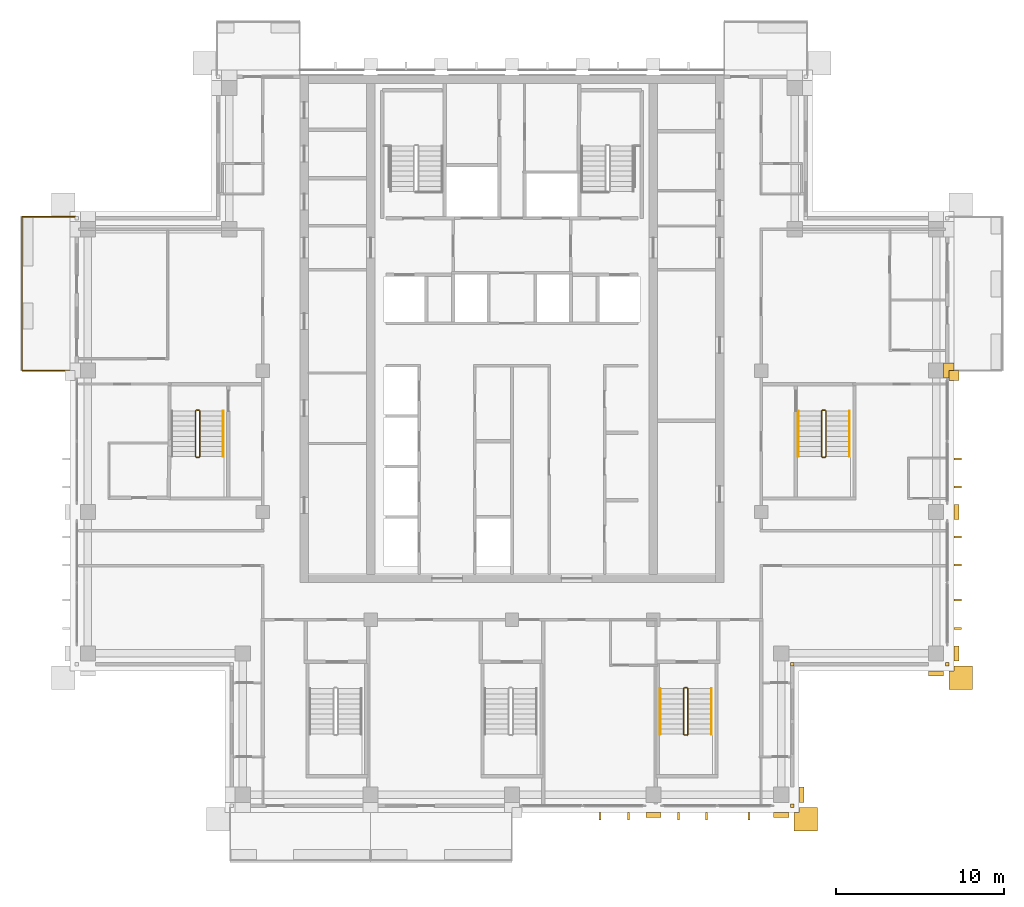
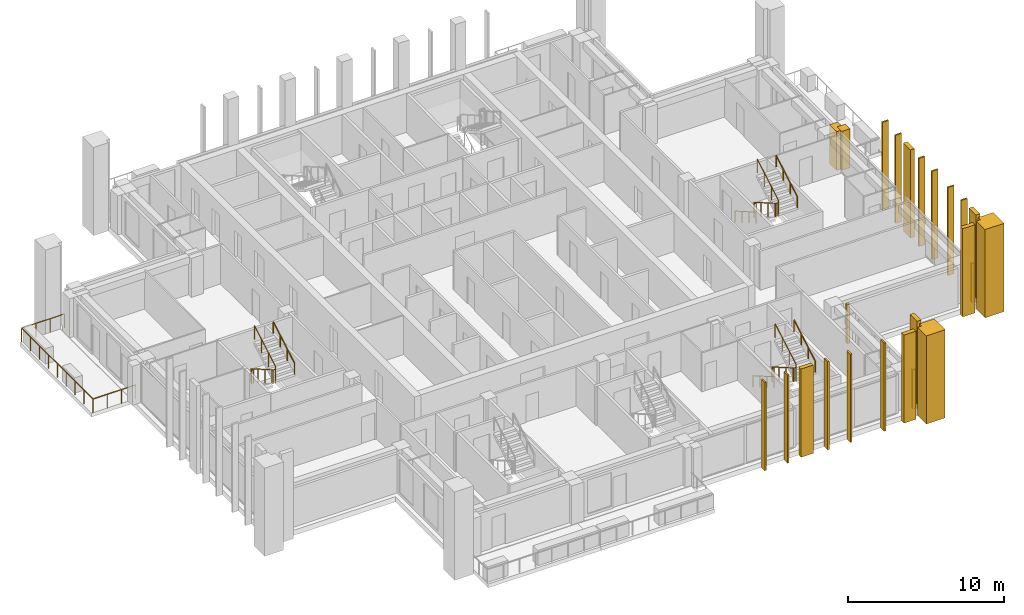
# One storey, part 14 of 16: 24 coverings, 9 railings.
"""IFC4 building model written with IfcOpenShell, lengths in metres."""

from ifc_helpers import new_model, si_unit, direction, frame, origin, origin_2d, place, context, subcontext, project, spatial, polyline, rectangle, outline, extrude, material, layer, layer_set, type_object, element, save


model = new_model("IFC4")

# Units and contexts
model_context = context("Model", 3, precision=1e-05, world=origin(), true_north=direction((0.0, 1.0)))
body_context = subcontext(model_context, "Body", "Model", "MODEL_VIEW")
ifc_project = project(units=[si_unit("LENGTHUNIT", "METRE"), si_unit("AREAUNIT", "SQUARE_METRE"), si_unit("VOLUMEUNIT", "CUBIC_METRE"), si_unit("PLANEANGLEUNIT", "RADIAN"), si_unit("MASSUNIT", "GRAM", prefix="KILO")], contexts=[model_context])

# Site, building, storey
site_placement = place(None, origin())
site = spatial("IfcSite", under=ifc_project, at=site_placement, CompositionType="ELEMENT")
building_placement = place(site_placement, origin())
building = spatial("IfcBuilding", under=site, at=building_placement, Name="Vermilion Ogive Tower", CompositionType="ELEMENT")
storey_placement = place(building_placement, frame((0.0, 0.0, 233.800048828125)))
storey = spatial("IfcBuildingStorey", under=building, at=storey_placement, Name="L61", CompositionType="ELEMENT", Elevation=233.800048828125)

# Railing
ifc_material_1 = material(Name="Stainless steel and glass", Category="steel")
railing_type_1 = type_object("IfcRailingType", Name="Balcony guard", PredefinedType="GUARDRAIL", material=ifc_material_1)
railing_1_placement = place(storey_placement, frame((-25.949951171875, 13.35009765625, -0.0400390625)))
element("IfcRailing", 1, at=railing_1_placement, inside=storey, type_object=railing_type_1, Name="Guard W01", PredefinedType="GUARDRAIL", context=body_context, shape_type="SweptSolid", body=[
    extrude(rectangle(XDim=0.048095703125, YDim=0.048095703125, at=origin_2d()), frame((0.0, 0.0, 1.076171875), z_axis=(-1.0, 0.0, 0.0), x_axis=(0.0, -1.0, 0.0)), (0.0, 0.0, 1.0), 3.16015625),
    extrude(rectangle(XDim=0.048095703125, YDim=0.048095703125, at=origin_2d()), frame((-3.16015625, 0.0, 1.076171875), z_axis=(0.0, -1.0, 0.0), x_axis=(1.0, 0.0, 0.0)), (0.0, 0.0, 1.0), 9.150146484375),
    extrude(rectangle(XDim=0.048095703125, YDim=0.048095703125, at=origin_2d()), frame((-3.16015625, -9.150146484375, 1.076171875), z_axis=(1.0, 0.0, 0.0), x_axis=(0.0, 1.0, 0.0)), (0.0, 0.0, 1.0), 3.16015625),
    extrude(rectangle(XDim=0.0419921875, YDim=0.0419921875, at=origin_2d()), origin(), (0.0, 0.0, 1.0), 1.052001953125),
    extrude(rectangle(XDim=0.0419921875, YDim=0.0419921875, at=origin_2d()), frame((-1.053466796875, 0.0, 0.0)), (0.0, 0.0, 1.0), 1.052001953125),
    extrude(rectangle(XDim=0.0419921875, YDim=0.0419921875, at=origin_2d()), frame((-2.106689453125, 0.0, 0.0)), (0.0, 0.0, 1.0), 1.052001953125),
    extrude(rectangle(XDim=0.0419921875, YDim=0.0419921875, at=origin_2d()), frame((-3.16015625, 0.0, 0.0)), (0.0, 0.0, 1.0), 1.052001953125),
    extrude(rectangle(XDim=0.0419921875, YDim=0.0419921875, at=origin_2d()), frame((-3.16015625, -1.143798828125, 0.0)), (0.0, 0.0, 1.0), 1.052001953125),
    extrude(rectangle(XDim=0.0419921875, YDim=0.0419921875, at=origin_2d()), frame((-3.16015625, -2.28759765625, 0.0)), (0.0, 0.0, 1.0), 1.052001953125),
    extrude(rectangle(XDim=0.0419921875, YDim=0.0419921875, at=origin_2d()), frame((-3.16015625, -3.431396484375, 0.0)), (0.0, 0.0, 1.0), 1.052001953125),
    extrude(rectangle(XDim=0.0419921875, YDim=0.0419921875, at=origin_2d()), frame((-3.16015625, -4.5751953125, 0.0)), (0.0, 0.0, 1.0), 1.052001953125),
    extrude(rectangle(XDim=0.0419921875, YDim=0.0419921875, at=origin_2d()), frame((-3.16015625, -5.71875, 0.0)), (0.0, 0.0, 1.0), 1.052001953125),
    extrude(rectangle(XDim=0.0419921875, YDim=0.0419921875, at=origin_2d()), frame((-3.16015625, -6.862548828125, 0.0)), (0.0, 0.0, 1.0), 1.052001953125),
    extrude(rectangle(XDim=0.0419921875, YDim=0.0419921875, at=origin_2d()), frame((-3.16015625, -8.00634765625, 0.0)), (0.0, 0.0, 1.0), 1.052001953125),
    extrude(rectangle(XDim=0.0419921875, YDim=0.0419921875, at=origin_2d()), frame((-3.16015625, -9.150146484375, 0.0)), (0.0, 0.0, 1.0), 1.052001953125),
    extrude(rectangle(XDim=0.0419921875, YDim=0.0419921875, at=origin_2d()), frame((-2.106689453125, -9.150146484375, 0.0)), (0.0, 0.0, 1.0), 1.052001953125),
    extrude(rectangle(XDim=0.0419921875, YDim=0.0419921875, at=origin_2d()), frame((-1.053466796875, -9.150146484375, 0.0)), (0.0, 0.0, 1.0), 1.052001953125),
    extrude(rectangle(XDim=0.0419921875, YDim=0.0419921875, at=origin_2d()), frame((0.0, -9.150146484375, 0.0)), (0.0, 0.0, 1.0), 1.052001953125),
])

# Coverings
ifc_material_2 = material(Name="Glazed ceramic screen")
ifc_layer = layer(ifc_material_2, 0.14990234375)
ifc_layer_set = layer_set([ifc_layer], Name="Ceramic solar screen fin")
covering_type_1 = type_object("IfcCoveringType", Name="Ceramic solar screen fin", PredefinedType="CLADDING", material=ifc_layer_set)
covering_1_placement = place(storey_placement, frame((0.0, 0.0, -0.400146484375)))
element("IfcCovering", 2, at=covering_1_placement, inside=storey, type_object=covering_type_1, Name="Solar screen blade S011", PredefinedType="CLADDING", context=body_context, shape_type="SweptSolid", body=[
    extrude(outline(polyline([(5.177490234375, -22.5), (5.297607421875, -22.5), (5.297607421875, -22.050048828125), (5.177490234375, -22.050048828125), (5.177490234375, -22.5)])), origin(), (0.0, 0.0, 1.0), 6.900146484375),
])
covering_2_placement = place(storey_placement, frame((0.0, 0.0, -0.400146484375)))
element("IfcCovering", 3, at=covering_2_placement, inside=storey, type_object=covering_type_1, Name="Solar screen blade S012", PredefinedType="CLADDING", context=body_context, shape_type="SweptSolid", body=[
    extrude(outline(polyline([(6.8525390625, -22.5), (6.972412109375, -22.5), (6.972412109375, -22.050048828125), (6.8525390625, -22.050048828125), (6.8525390625, -22.5)])), origin(), (0.0, 0.0, 1.0), 6.900146484375),
])
covering_3_placement = place(storey_placement, frame((0.0, 0.0, -0.400146484375)))
element("IfcCovering", 4, at=covering_3_placement, inside=storey, type_object=covering_type_1, Name="Solar screen blade S021", PredefinedType="CLADDING", context=body_context, shape_type="SweptSolid", body=[
    extrude(outline(polyline([(9.827392578125, -22.5), (9.947509765625, -22.5), (9.947509765625, -22.050048828125), (9.827392578125, -22.050048828125), (9.827392578125, -22.5)])), origin(), (0.0, 0.0, 1.0), 6.900146484375),
])
covering_4_placement = place(storey_placement, frame((0.0, 0.0, -0.400146484375)))
element("IfcCovering", 5, at=covering_4_placement, inside=storey, type_object=covering_type_1, Name="Solar screen blade S022", PredefinedType="CLADDING", context=body_context, shape_type="SweptSolid", body=[
    extrude(outline(polyline([(11.50244140625, -22.5), (11.62255859375, -22.5), (11.62255859375, -22.050048828125), (11.50244140625, -22.050048828125), (11.50244140625, -22.5)])), origin(), (0.0, 0.0, 1.0), 6.900146484375),
])
covering_5_placement = place(storey_placement, frame((0.0, 0.0, -0.400146484375)))
element("IfcCovering", 6, at=covering_5_placement, inside=storey, type_object=covering_type_1, Name="Solar screen blade S031", PredefinedType="CLADDING", context=body_context, shape_type="SweptSolid", body=[
    extrude(outline(polyline([(14.014892578125, -22.5), (14.135009765625, -22.5), (14.135009765625, -22.050048828125), (14.014892578125, -22.050048828125), (14.014892578125, -22.5)])), origin(), (0.0, 0.0, 1.0), 6.900146484375),
])
covering_6_placement = place(storey_placement, frame((0.0, 0.0, -0.400146484375)))
element("IfcCovering", 7, at=covering_6_placement, inside=storey, type_object=covering_type_1, Name="Solar screen blade E971", PredefinedType="CLADDING", context=body_context, shape_type="SweptSolid", body=[
    extrude(outline(polyline([(26.699951171875, -11.172607421875), (26.699951171875, -11.052490234375), (26.25, -11.052490234375), (26.25, -11.172607421875), (26.699951171875, -11.172607421875)])), origin(), (0.0, 0.0, 1.0), 6.900146484375),
])
covering_7_placement = place(storey_placement, frame((0.0, 0.0, -0.400146484375)))
element("IfcCovering", 8, at=covering_7_placement, inside=storey, type_object=covering_type_1, Name="Solar screen blade E972", PredefinedType="CLADDING", context=body_context, shape_type="SweptSolid", body=[
    extrude(outline(polyline([(26.699951171875, -9.49755859375), (26.699951171875, -9.37744140625), (26.25, -9.37744140625), (26.25, -9.49755859375), (26.699951171875, -9.49755859375)])), origin(), (0.0, 0.0, 1.0), 6.900146484375),
])
covering_8_placement = place(storey_placement, frame((0.0, 0.0, -0.400146484375)))
element("IfcCovering", 9, at=covering_8_placement, inside=storey, type_object=covering_type_1, Name="Solar screen blade E981", PredefinedType="CLADDING", context=body_context, shape_type="SweptSolid", body=[
    extrude(outline(polyline([(26.699951171875, -7.422607421875), (26.699951171875, -7.302490234375), (26.25, -7.302490234375), (26.25, -7.422607421875), (26.699951171875, -7.422607421875)])), origin(), (0.0, 0.0, 1.0), 6.900146484375),
])
covering_9_placement = place(storey_placement, frame((0.0, 0.0, -0.400146484375)))
element("IfcCovering", 10, at=covering_9_placement, inside=storey, type_object=covering_type_1, Name="Solar screen blade E982", PredefinedType="CLADDING", context=body_context, shape_type="SweptSolid", body=[
    extrude(outline(polyline([(26.699951171875, -5.74755859375), (26.699951171875, -5.62744140625), (26.25, -5.62744140625), (26.25, -5.74755859375), (26.699951171875, -5.74755859375)])), origin(), (0.0, 0.0, 1.0), 6.900146484375),
])
covering_10_placement = place(storey_placement, frame((0.0, 0.0, -0.400146484375)))
element("IfcCovering", 11, at=covering_10_placement, inside=storey, type_object=covering_type_1, Name="Solar screen blade E991", PredefinedType="CLADDING", context=body_context, shape_type="SweptSolid", body=[
    extrude(outline(polyline([(26.699951171875, -2.7724609375), (26.699951171875, -2.652587890625), (26.25, -2.652587890625), (26.25, -2.7724609375), (26.699951171875, -2.7724609375)])), origin(), (0.0, 0.0, 1.0), 6.900146484375),
])
covering_11_placement = place(storey_placement, frame((0.0, 0.0, -0.400146484375)))
element("IfcCovering", 12, at=covering_11_placement, inside=storey, type_object=covering_type_1, Name="Solar screen blade E992", PredefinedType="CLADDING", context=body_context, shape_type="SweptSolid", body=[
    extrude(outline(polyline([(26.699951171875, -1.097412109375), (26.699951171875, -0.9775390625), (26.25, -0.9775390625), (26.25, -1.097412109375), (26.699951171875, -1.097412109375)])), origin(), (0.0, 0.0, 1.0), 6.900146484375),
])

# Railings
ifc_material_3 = material(Name="Steel S355 painted", Category="steel")
railing_type_2 = type_object("IfcRailingType", Name="Stair guard 1100", PredefinedType="GUARDRAIL", material=ifc_material_3)
railing_2_placement = place(storey_placement, frame((10.39990234375, -14.64990234375, 0.0)))
element("IfcRailing", 13, at=railing_2_placement, inside=storey, type_object=railing_type_2, Name="L61 ST5 stair guard 4", PredefinedType="GUARDRAIL", context=body_context, shape_type="SweptSolid", body=[
    extrude(rectangle(XDim=0.048095703125, YDim=0.048095703125, at=origin_2d()), frame((0.0, 0.0, 1.076171875), z_axis=(-1.0, 0.0, 0.0), x_axis=(0.0, -1.0, 0.0)), (0.0, 0.0, 1.0), 0.14990234375),
    extrude(rectangle(XDim=0.048095703125, YDim=0.048095703125, at=origin_2d()), frame((-0.14990234375, 0.0, 1.076171875), z_axis=(-0.268603158521, -0.268603158521, 0.925043072762), x_axis=(0.707106781187, -0.707106781187, 0.0)), (0.0, 0.0, 1.0), 0.186279296875),
    extrude(rectangle(XDim=0.048095703125, YDim=0.048095703125, at=origin_2d()), frame((-0.199951171875, -0.050048828125, 1.24853515625), z_axis=(0.0, -0.866903762492, 0.498475542607), x_axis=(1.0, 0.0, 0.0)), (0.0, 0.0, 1.0), 3.114501953125),
    extrude(rectangle(XDim=0.048095703125, YDim=0.048095703125, at=origin_2d()), frame((-0.199951171875, -2.75, 2.80078125), z_axis=(0.707106781187, -0.707106781187, 0.0), x_axis=(0.707106781187, 0.707106781187, 0.0)), (0.0, 0.0, 1.0), 0.07080078125),
    extrude(rectangle(XDim=0.048095703125, YDim=0.048095703125, at=origin_2d()), frame((-0.14990234375, -2.800048828125, 2.80078125), z_axis=(1.0, 0.0, 0.0), x_axis=(0.0, 1.0, 0.0)), (0.0, 0.0, 1.0), 0.14990234375),
    extrude(rectangle(XDim=0.048095703125, YDim=0.048095703125, at=origin_2d()), frame((0.0, -2.800048828125, 2.80078125), z_axis=(0.268277960024, 0.268277960024, 0.925231793839), x_axis=(-0.707106781187, 0.707106781187, 0.0)), (0.0, 0.0, 1.0), 0.1865234375),
    extrude(rectangle(XDim=0.048095703125, YDim=0.048095703125, at=origin_2d()), frame((0.050048828125, -2.75, 2.9736328125), z_axis=(0.0, 0.866903762492, 0.498475542607), x_axis=(-1.0, 0.0, 0.0)), (0.0, 0.0, 1.0), 3.114501953125),
    extrude(rectangle(XDim=0.0419921875, YDim=0.0419921875, at=origin_2d()), origin(), (0.0, 0.0, 1.0), 1.052001953125),
    extrude(rectangle(XDim=0.0419921875, YDim=0.0419921875, at=origin_2d()), frame((-0.14990234375, 0.0, 0.0)), (0.0, 0.0, 1.0), 1.052001953125),
    extrude(rectangle(XDim=0.0419921875, YDim=0.0419921875, at=origin_2d()), frame((-0.199951171875, -0.050048828125, 0.17236328125)), (0.0, 0.0, 1.0), 1.052001953125),
    extrude(rectangle(XDim=0.0419921875, YDim=0.0419921875, at=origin_2d()), frame((-0.199951171875, -0.949951171875, 0.68994140625)), (0.0, 0.0, 1.0), 1.052001953125),
    extrude(rectangle(XDim=0.0419921875, YDim=0.0419921875, at=origin_2d()), frame((-0.199951171875, -1.85009765625, 1.207275390625)), (0.0, 0.0, 1.0), 1.052001953125),
    extrude(rectangle(XDim=0.0419921875, YDim=0.0419921875, at=origin_2d()), frame((-0.199951171875, -2.75, 1.724853515625)), (0.0, 0.0, 1.0), 1.052001953125),
    extrude(rectangle(XDim=0.0419921875, YDim=0.0419921875, at=origin_2d()), frame((-0.14990234375, -2.800048828125, 1.724853515625)), (0.0, 0.0, 1.0), 1.052001953125),
    extrude(rectangle(XDim=0.0419921875, YDim=0.0419921875, at=origin_2d()), frame((0.0, -2.800048828125, 1.724853515625)), (0.0, 0.0, 1.0), 1.052001953125),
    extrude(rectangle(XDim=0.0419921875, YDim=0.0419921875, at=origin_2d()), frame((0.050048828125, -2.75, 1.8974609375)), (0.0, 0.0, 1.0), 1.052001953125),
    extrude(rectangle(XDim=0.0419921875, YDim=0.0419921875, at=origin_2d()), frame((0.050048828125, -1.85009765625, 2.4150390625)), (0.0, 0.0, 1.0), 1.052001953125),
    extrude(rectangle(XDim=0.0419921875, YDim=0.0419921875, at=origin_2d()), frame((0.050048828125, -0.949951171875, 2.932373046875)), (0.0, 0.0, 1.0), 1.052001953125),
    extrude(rectangle(XDim=0.0419921875, YDim=0.0419921875, at=origin_2d()), frame((0.050048828125, -0.050048828125, 3.449951171875)), (0.0, 0.0, 1.0), 1.052001953125),
])
railing_3_placement = place(storey_placement, frame((18.60009765625, 1.85009765625, 0.0)))
element("IfcRailing", 14, at=railing_3_placement, inside=storey, type_object=railing_type_2, Name="L61 ST8 stair guard 4", PredefinedType="GUARDRAIL", context=body_context, shape_type="SweptSolid", body=[
    extrude(rectangle(XDim=0.048095703125, YDim=0.048095703125, at=origin_2d()), frame((0.0, 0.0, 1.076171875), z_axis=(-1.0, 0.0, 0.0), x_axis=(0.0, -1.0, 0.0)), (0.0, 0.0, 1.0), 0.150146484375),
    extrude(rectangle(XDim=0.048095703125, YDim=0.048095703125, at=origin_2d()), frame((-0.150146484375, 0.0, 1.076171875), z_axis=(-0.268603158521, -0.268603158521, 0.925043072762), x_axis=(0.707106781187, -0.707106781187, 0.0)), (0.0, 0.0, 1.0), 0.186279296875),
    extrude(rectangle(XDim=0.048095703125, YDim=0.048095703125, at=origin_2d()), frame((-0.2001953125, -0.050048828125, 1.24853515625), z_axis=(0.0, -0.866903762492, 0.498475542607), x_axis=(1.0, 0.0, 0.0)), (0.0, 0.0, 1.0), 3.114501953125),
    extrude(rectangle(XDim=0.048095703125, YDim=0.048095703125, at=origin_2d()), frame((-0.2001953125, -2.75, 2.80078125), z_axis=(0.707106781187, -0.707106781187, 0.0), x_axis=(0.707106781187, 0.707106781187, 0.0)), (0.0, 0.0, 1.0), 0.07080078125),
    extrude(rectangle(XDim=0.048095703125, YDim=0.048095703125, at=origin_2d()), frame((-0.150146484375, -2.800048828125, 2.80078125), z_axis=(1.0, 0.0, 0.0), x_axis=(0.0, 1.0, 0.0)), (0.0, 0.0, 1.0), 0.150146484375),
    extrude(rectangle(XDim=0.048095703125, YDim=0.048095703125, at=origin_2d()), frame((0.0, -2.800048828125, 2.80078125), z_axis=(0.267062837333, 0.268371968888, 0.925556009775), x_axis=(-0.708833529934, 0.705375805398, 0.0)), (0.0, 0.0, 1.0), 0.1865234375),
    extrude(rectangle(XDim=0.048095703125, YDim=0.048095703125, at=origin_2d()), frame((0.0498046875, -2.75, 2.9736328125), z_axis=(0.0, 0.866903762492, 0.498475542607), x_axis=(-1.0, 0.0, 0.0)), (0.0, 0.0, 1.0), 3.114501953125),
    extrude(rectangle(XDim=0.0419921875, YDim=0.0419921875, at=origin_2d()), origin(), (0.0, 0.0, 1.0), 1.052001953125),
    extrude(rectangle(XDim=0.0419921875, YDim=0.0419921875, at=origin_2d()), frame((-0.150146484375, 0.0, 0.0)), (0.0, 0.0, 1.0), 1.052001953125),
    extrude(rectangle(XDim=0.0419921875, YDim=0.0419921875, at=origin_2d()), frame((-0.2001953125, -0.050048828125, 0.17236328125)), (0.0, 0.0, 1.0), 1.052001953125),
    extrude(rectangle(XDim=0.0419921875, YDim=0.0419921875, at=origin_2d()), frame((-0.2001953125, -0.949951171875, 0.68994140625)), (0.0, 0.0, 1.0), 1.052001953125),
    extrude(rectangle(XDim=0.0419921875, YDim=0.0419921875, at=origin_2d()), frame((-0.2001953125, -1.85009765625, 1.207275390625)), (0.0, 0.0, 1.0), 1.052001953125),
    extrude(rectangle(XDim=0.0419921875, YDim=0.0419921875, at=origin_2d()), frame((-0.2001953125, -2.75, 1.724853515625)), (0.0, 0.0, 1.0), 1.052001953125),
    extrude(rectangle(XDim=0.0419921875, YDim=0.0419921875, at=origin_2d()), frame((-0.150146484375, -2.800048828125, 1.724853515625)), (0.0, 0.0, 1.0), 1.052001953125),
    extrude(rectangle(XDim=0.0419921875, YDim=0.0419921875, at=origin_2d()), frame((0.0, -2.800048828125, 1.724853515625)), (0.0, 0.0, 1.0), 1.052001953125),
    extrude(rectangle(XDim=0.0419921875, YDim=0.0419921875, at=origin_2d()), frame((0.0498046875, -2.75, 1.8974609375)), (0.0, 0.0, 1.0), 1.052001953125),
    extrude(rectangle(XDim=0.0419921875, YDim=0.0419921875, at=origin_2d()), frame((0.0498046875, -1.85009765625, 2.4150390625)), (0.0, 0.0, 1.0), 1.052001953125),
    extrude(rectangle(XDim=0.0419921875, YDim=0.0419921875, at=origin_2d()), frame((0.0498046875, -0.949951171875, 2.932373046875)), (0.0, 0.0, 1.0), 1.052001953125),
    extrude(rectangle(XDim=0.0419921875, YDim=0.0419921875, at=origin_2d()), frame((0.0498046875, -0.050048828125, 3.449951171875)), (0.0, 0.0, 1.0), 1.052001953125),
])
railing_4_placement = place(storey_placement, frame((-18.60009765625, 1.85009765625, 0.0)))
element("IfcRailing", 15, at=railing_4_placement, inside=storey, type_object=railing_type_2, Name="L61 ST9 stair guard 4", PredefinedType="GUARDRAIL", context=body_context, shape_type="SweptSolid", body=[
    extrude(rectangle(XDim=0.048095703125, YDim=0.048095703125, at=origin_2d()), frame((0.0, 0.0, 1.076171875), z_axis=(-1.0, 0.0, 0.0), x_axis=(0.0, -1.0, 0.0)), (0.0, 0.0, 1.0), 0.14990234375),
    extrude(rectangle(XDim=0.048095703125, YDim=0.048095703125, at=origin_2d()), frame((-0.14990234375, 0.0, 1.076171875), z_axis=(-0.268603158521, -0.268603158521, 0.925043072762), x_axis=(0.707106781187, -0.707106781187, 0.0)), (0.0, 0.0, 1.0), 0.186279296875),
    extrude(rectangle(XDim=0.048095703125, YDim=0.048095703125, at=origin_2d()), frame((-0.199951171875, -0.050048828125, 1.24853515625), z_axis=(0.0, -0.866903762492, 0.498475542607), x_axis=(1.0, 0.0, 0.0)), (0.0, 0.0, 1.0), 3.114501953125),
    extrude(rectangle(XDim=0.048095703125, YDim=0.048095703125, at=origin_2d()), frame((-0.199951171875, -2.75, 2.80078125), z_axis=(0.707106781187, -0.707106781187, 0.0), x_axis=(0.707106781187, 0.707106781187, 0.0)), (0.0, 0.0, 1.0), 0.07080078125),
    extrude(rectangle(XDim=0.048095703125, YDim=0.048095703125, at=origin_2d()), frame((-0.14990234375, -2.800048828125, 2.80078125), z_axis=(1.0, 0.0, 0.0), x_axis=(0.0, 1.0, 0.0)), (0.0, 0.0, 1.0), 0.14990234375),
    extrude(rectangle(XDim=0.048095703125, YDim=0.048095703125, at=origin_2d()), frame((0.0, -2.800048828125, 2.80078125), z_axis=(0.268277960024, 0.268277960024, 0.925231793839), x_axis=(-0.707106781187, 0.707106781187, 0.0)), (0.0, 0.0, 1.0), 0.1865234375),
    extrude(rectangle(XDim=0.048095703125, YDim=0.048095703125, at=origin_2d()), frame((0.050048828125, -2.75, 2.9736328125), z_axis=(0.0, 0.866903762492, 0.498475542607), x_axis=(-1.0, 0.0, 0.0)), (0.0, 0.0, 1.0), 3.114501953125),
    extrude(rectangle(XDim=0.0419921875, YDim=0.0419921875, at=origin_2d()), origin(), (0.0, 0.0, 1.0), 1.052001953125),
    extrude(rectangle(XDim=0.0419921875, YDim=0.0419921875, at=origin_2d()), frame((-0.14990234375, 0.0, 0.0)), (0.0, 0.0, 1.0), 1.052001953125),
    extrude(rectangle(XDim=0.0419921875, YDim=0.0419921875, at=origin_2d()), frame((-0.199951171875, -0.050048828125, 0.17236328125)), (0.0, 0.0, 1.0), 1.052001953125),
    extrude(rectangle(XDim=0.0419921875, YDim=0.0419921875, at=origin_2d()), frame((-0.199951171875, -0.949951171875, 0.68994140625)), (0.0, 0.0, 1.0), 1.052001953125),
    extrude(rectangle(XDim=0.0419921875, YDim=0.0419921875, at=origin_2d()), frame((-0.199951171875, -1.85009765625, 1.207275390625)), (0.0, 0.0, 1.0), 1.052001953125),
    extrude(rectangle(XDim=0.0419921875, YDim=0.0419921875, at=origin_2d()), frame((-0.199951171875, -2.75, 1.724853515625)), (0.0, 0.0, 1.0), 1.052001953125),
    extrude(rectangle(XDim=0.0419921875, YDim=0.0419921875, at=origin_2d()), frame((-0.14990234375, -2.800048828125, 1.724853515625)), (0.0, 0.0, 1.0), 1.052001953125),
    extrude(rectangle(XDim=0.0419921875, YDim=0.0419921875, at=origin_2d()), frame((0.0, -2.800048828125, 1.724853515625)), (0.0, 0.0, 1.0), 1.052001953125),
    extrude(rectangle(XDim=0.0419921875, YDim=0.0419921875, at=origin_2d()), frame((0.050048828125, -2.75, 1.8974609375)), (0.0, 0.0, 1.0), 1.052001953125),
    extrude(rectangle(XDim=0.0419921875, YDim=0.0419921875, at=origin_2d()), frame((0.050048828125, -1.85009765625, 2.4150390625)), (0.0, 0.0, 1.0), 1.052001953125),
    extrude(rectangle(XDim=0.0419921875, YDim=0.0419921875, at=origin_2d()), frame((0.050048828125, -0.949951171875, 2.932373046875)), (0.0, 0.0, 1.0), 1.052001953125),
    extrude(rectangle(XDim=0.0419921875, YDim=0.0419921875, at=origin_2d()), frame((0.050048828125, -0.050048828125, 3.449951171875)), (0.0, 0.0, 1.0), 1.052001953125),
])
ifc_material_4 = material(Name="Stainless steel", Category="steel")
railing_type_3 = type_object("IfcRailingType", Name="Stair handrail 900", PredefinedType="HANDRAIL", material=ifc_material_4)
railing_5_placement = place(storey_placement, frame((8.800048828125, -14.699951171875, 0.17236328125)))
element("IfcRailing", 16, at=railing_5_placement, inside=storey, type_object=railing_type_3, Name="L61 ST5 stair handrail 1", PredefinedType="HANDRAIL", context=body_context, shape_type="SweptSolid", body=[
    extrude(rectangle(XDim=0.048095703125, YDim=0.048095703125, at=origin_2d()), frame((0.0, 0.0, 0.8759765625), z_axis=(0.0, -0.866903762492, 0.498475542607), x_axis=(1.0, 0.0, 0.0)), (0.0, 0.0, 1.0), 3.114501953125),
    extrude(rectangle(XDim=0.0419921875, YDim=0.0419921875, at=origin_2d()), origin(), (0.0, 0.0, 1.0), 0.851806640625),
    extrude(rectangle(XDim=0.0419921875, YDim=0.0419921875, at=origin_2d()), frame((0.0, -0.89990234375, 0.517578125)), (0.0, 0.0, 1.0), 0.851806640625),
    extrude(rectangle(XDim=0.0419921875, YDim=0.0419921875, at=origin_2d()), frame((0.0, -1.800048828125, 1.034912109375)), (0.0, 0.0, 1.0), 0.851806640625),
    extrude(rectangle(XDim=0.0419921875, YDim=0.0419921875, at=origin_2d()), frame((0.0, -2.699951171875, 1.552490234375)), (0.0, 0.0, 1.0), 0.851806640625),
])
railing_6_placement = place(storey_placement, frame((11.85009765625, -17.39990234375, 1.8974609375)))
element("IfcRailing", 17, at=railing_6_placement, inside=storey, type_object=railing_type_3, Name="L61 ST5 stair handrail 2", PredefinedType="HANDRAIL", context=body_context, shape_type="SweptSolid", body=[
    extrude(rectangle(XDim=0.048095703125, YDim=0.048095703125, at=origin_2d()), frame((0.0, 0.0, 0.8759765625), z_axis=(0.0, 0.866903762492, 0.498475542607), x_axis=(-1.0, 0.0, 0.0)), (0.0, 0.0, 1.0), 3.114501953125),
    extrude(rectangle(XDim=0.0419921875, YDim=0.0419921875, at=origin_2d()), origin(), (0.0, 0.0, 1.0), 0.851806640625),
    extrude(rectangle(XDim=0.0419921875, YDim=0.0419921875, at=origin_2d()), frame((0.0, 0.89990234375, 0.517578125)), (0.0, 0.0, 1.0), 0.851806640625),
    extrude(rectangle(XDim=0.0419921875, YDim=0.0419921875, at=origin_2d()), frame((0.0, 1.800048828125, 1.034912109375)), (0.0, 0.0, 1.0), 0.851806640625),
    extrude(rectangle(XDim=0.0419921875, YDim=0.0419921875, at=origin_2d()), frame((0.0, 2.699951171875, 1.552490234375)), (0.0, 0.0, 1.0), 0.851806640625),
])
railing_7_placement = place(storey_placement, frame((17.0, 1.800048828125, 0.17236328125)))
element("IfcRailing", 18, at=railing_7_placement, inside=storey, type_object=railing_type_3, Name="L61 ST8 stair handrail 1", PredefinedType="HANDRAIL", context=body_context, shape_type="SweptSolid", body=[
    extrude(rectangle(XDim=0.048095703125, YDim=0.048095703125, at=origin_2d()), frame((0.0, 0.0, 0.8759765625), z_axis=(0.0, -0.866903762492, 0.498475542607), x_axis=(1.0, 0.0, 0.0)), (0.0, 0.0, 1.0), 3.114501953125),
    extrude(rectangle(XDim=0.0419921875, YDim=0.0419921875, at=origin_2d()), origin(), (0.0, 0.0, 1.0), 0.851806640625),
    extrude(rectangle(XDim=0.0419921875, YDim=0.0419921875, at=origin_2d()), frame((0.0, -0.89990234375, 0.517578125)), (0.0, 0.0, 1.0), 0.851806640625),
    extrude(rectangle(XDim=0.0419921875, YDim=0.0419921875, at=origin_2d()), frame((0.0, -1.800048828125, 1.034912109375)), (0.0, 0.0, 1.0), 0.851806640625),
    extrude(rectangle(XDim=0.0419921875, YDim=0.0419921875, at=origin_2d()), frame((0.0, -2.699951171875, 1.552490234375)), (0.0, 0.0, 1.0), 0.851806640625),
])
for number, where, name in (
    (19, (20.050048828125, -0.89990234375, 1.8974609375), "L61 ST8 stair handrail 2"),
    (20, (-17.14990234375, -0.89990234375, 1.8974609375), "L61 ST9 stair handrail 2"),
):
    element("IfcRailing", number, at=place(storey_placement, frame(where)), inside=storey, type_object=railing_type_3, Name=name, PredefinedType="HANDRAIL", context=body_context, shape_type="SweptSolid", body=[
        extrude(rectangle(XDim=0.048095703125, YDim=0.048095703125, at=origin_2d()), frame((0.0, 0.0, 0.8759765625), z_axis=(0.0, 0.866903762492, 0.498475542607), x_axis=(-1.0, 0.0, 0.0)), (0.0, 0.0, 1.0), 3.114501953125),
        extrude(rectangle(XDim=0.0419921875, YDim=0.0419921875, at=origin_2d()), origin(), (0.0, 0.0, 1.0), 0.851806640625),
        extrude(rectangle(XDim=0.0419921875, YDim=0.0419921875, at=origin_2d()), frame((0.0, 0.89990234375, 0.517578125)), (0.0, 0.0, 1.0), 0.851806640625),
        extrude(rectangle(XDim=0.0419921875, YDim=0.0419921875, at=origin_2d()), frame((0.0, 1.800048828125, 1.034912109375)), (0.0, 0.0, 1.0), 0.851806640625),
        extrude(rectangle(XDim=0.0419921875, YDim=0.0419921875, at=origin_2d()), frame((0.0, 2.699951171875, 1.552490234375)), (0.0, 0.0, 1.0), 0.851806640625),
    ])

# Coverings
ifc_material_5 = material(Name="Stone cladding", Category="masonry")
covering_type_2 = type_object("IfcCoveringType", Name="Stone corner buttress", PredefinedType="CLADDING", material=ifc_material_5)
covering_12_placement = place(storey_placement, origin())
element("IfcCovering", 21, at=covering_12_placement, inside=storey, type_object=covering_type_2, Name="Stone crease pier EK", PredefinedType="CLADDING", context=body_context, shape_type="SweptSolid", body=[
    extrude(outline(polyline([(26.550048828125, 3.60009765625), (26.550048828125, 4.199951171875), (25.949951171875, 4.199951171875), (25.949951171875, 3.60009765625), (26.550048828125, 3.60009765625)])), origin(), (0.0, 0.0, 1.0), 3.050048828125),
])
covering_13_placement = place(storey_placement, frame((0.0, 0.0, -0.400146484375)))
element("IfcCovering", 22, at=covering_13_placement, inside=storey, type_object=covering_type_2, Name="Stone corner buttress X11", PredefinedType="CLADDING", context=body_context, shape_type="SweptSolid", body=[
    extrude(outline(polyline([(16.75, -22.050048828125), (17.050048828125, -22.050048828125), (17.050048828125, -21.75), (18.14990234375, -21.75), (18.14990234375, -23.14990234375), (16.75, -23.14990234375), (16.75, -22.050048828125)])), origin(), (0.0, 0.0, 1.0), 6.900146484375),
])
covering_14_placement = place(storey_placement, frame((0.0, 0.0, -0.400146484375)))
element("IfcCovering", 23, at=covering_14_placement, inside=storey, type_object=covering_type_2, Name="Stone corner buttress E1", PredefinedType="CLADDING", context=body_context, shape_type="SweptSolid", body=[
    extrude(outline(polyline([(25.949951171875, -13.64990234375), (26.25, -13.64990234375), (26.25, -13.35009765625), (27.35009765625, -13.35009765625), (27.35009765625, -14.75), (25.949951171875, -14.75), (25.949951171875, -13.64990234375)])), origin(), (0.0, 0.0, 1.0), 6.900146484375),
])
ifc_material_6 = material(Name="Stone cladding", Category="masonry")
covering_type_3 = type_object("IfcCoveringType", Name="Stone pier", PredefinedType="CLADDING", material=ifc_material_6)
covering_15_placement = place(storey_placement, origin())
element("IfcCovering", 24, at=covering_15_placement, inside=storey, type_object=covering_type_3, Name="Stone corner pier SE1", PredefinedType="CLADDING", context=body_context, shape_type="SweptSolid", body=[
    extrude(outline(polyline([(16.550048828125, -21.550048828125), (16.75, -21.550048828125), (16.75, -21.75), (16.550048828125, -21.75), (16.550048828125, -21.550048828125)])), origin(), (0.0, 0.0, 1.0), 3.050048828125),
])
covering_16_placement = place(storey_placement, origin())
element("IfcCovering", 25, at=covering_16_placement, inside=storey, type_object=covering_type_3, Name="Stone corner pier X1E1", PredefinedType="CLADDING", context=body_context, shape_type="SweptSolid", body=[
    extrude(outline(polyline([(16.550048828125, -13.14990234375), (16.75, -13.14990234375), (16.75, -13.35009765625), (16.550048828125, -13.35009765625), (16.550048828125, -13.14990234375)])), origin(), (0.0, 0.0, 1.0), 3.050048828125),
])
covering_17_placement = place(storey_placement, origin())
element("IfcCovering", 26, at=covering_17_placement, inside=storey, type_object=covering_type_3, Name="Stone corner pier X2E1", PredefinedType="CLADDING", context=body_context, shape_type="SweptSolid", body=[
    extrude(outline(polyline([(25.75, -13.14990234375), (25.949951171875, -13.14990234375), (25.949951171875, -13.35009765625), (25.75, -13.35009765625), (25.75, -13.14990234375)])), origin(), (0.0, 0.0, 1.0), 3.050048828125),
])
covering_18_placement = place(storey_placement, frame((0.0, 0.0, -0.400146484375)))
element("IfcCovering", 27, at=covering_18_placement, inside=storey, type_object=covering_type_3, Name="Stone pier P+0084-210", PredefinedType="CLADDING", context=body_context, shape_type="SweptSolid", body=[
    extrude(outline(polyline([(8.85009765625, -22.35009765625), (7.949951171875, -22.35009765625), (7.949951171875, -22.050048828125), (8.85009765625, -22.050048828125), (8.85009765625, -22.35009765625)])), origin(), (0.0, 0.0, 1.0), 6.900146484375),
])
covering_19_placement = place(storey_placement, frame((0.0, 0.0, -0.400146484375)))
element("IfcCovering", 28, at=covering_19_placement, inside=storey, type_object=covering_type_3, Name="Stone pier P+0160-210S", PredefinedType="CLADDING", context=body_context, shape_type="SweptSolid", body=[
    extrude(outline(polyline([(16.449951171875, -22.35009765625), (15.550048828125, -22.35009765625), (15.550048828125, -22.050048828125), (16.449951171875, -22.050048828125), (16.449951171875, -22.35009765625)])), origin(), (0.0, 0.0, 1.0), 6.900146484375),
])
covering_20_placement = place(storey_placement, frame((0.0, 0.0, -0.400146484375)))
element("IfcCovering", 29, at=covering_20_placement, inside=storey, type_object=covering_type_3, Name="Stone pier P+0160-210X1", PredefinedType="CLADDING", context=body_context, shape_type="SweptSolid", body=[
    extrude(outline(polyline([(17.35009765625, -21.449951171875), (17.050048828125, -21.449951171875), (17.050048828125, -20.550048828125), (17.35009765625, -20.550048828125), (17.35009765625, -21.449951171875)])), origin(), (0.0, 0.0, 1.0), 6.900146484375),
])
covering_21_placement = place(storey_placement, frame((0.0, 0.0, -0.400146484375)))
element("IfcCovering", 30, at=covering_21_placement, inside=storey, type_object=covering_type_3, Name="Stone pier P+0252-042", PredefinedType="CLADDING", context=body_context, shape_type="SweptSolid", body=[
    extrude(outline(polyline([(26.550048828125, -3.75), (26.550048828125, -4.64990234375), (26.25, -4.64990234375), (26.25, -3.75), (26.550048828125, -3.75)])), origin(), (0.0, 0.0, 1.0), 6.900146484375),
])
covering_22_placement = place(storey_placement, frame((0.0, 0.0, -0.400146484375)))
element("IfcCovering", 31, at=covering_22_placement, inside=storey, type_object=covering_type_3, Name="Stone pier P+0252-126X2", PredefinedType="CLADDING", context=body_context, shape_type="SweptSolid", body=[
    extrude(outline(polyline([(25.64990234375, -13.949951171875), (24.75, -13.949951171875), (24.75, -13.64990234375), (25.64990234375, -13.64990234375), (25.64990234375, -13.949951171875)])), origin(), (0.0, 0.0, 1.0), 6.900146484375),
])
covering_23_placement = place(storey_placement, frame((0.0, 0.0, -0.400146484375)))
element("IfcCovering", 32, at=covering_23_placement, inside=storey, type_object=covering_type_3, Name="Stone pier P+0252-126E", PredefinedType="CLADDING", context=body_context, shape_type="SweptSolid", body=[
    extrude(outline(polyline([(26.550048828125, -13.050048828125), (26.25, -13.050048828125), (26.25, -12.14990234375), (26.550048828125, -12.14990234375), (26.550048828125, -13.050048828125)])), origin(), (0.0, 0.0, 1.0), 6.900146484375),
])
covering_24_placement = place(storey_placement, origin())
element("IfcCovering", 33, at=covering_24_placement, inside=storey, type_object=covering_type_3, Name="Stone pier P+0252+042", PredefinedType="CLADDING", context=body_context, shape_type="SweptSolid", body=[
    extrude(outline(polyline([(26.25, 4.64990234375), (26.25, 4.199951171875), (25.949951171875, 4.199951171875), (25.949951171875, 3.75), (25.64990234375, 3.75), (25.64990234375, 4.64990234375), (26.25, 4.64990234375)])), origin(), (0.0, 0.0, 1.0), 3.050048828125),
])

save(model, "model.ifc")
